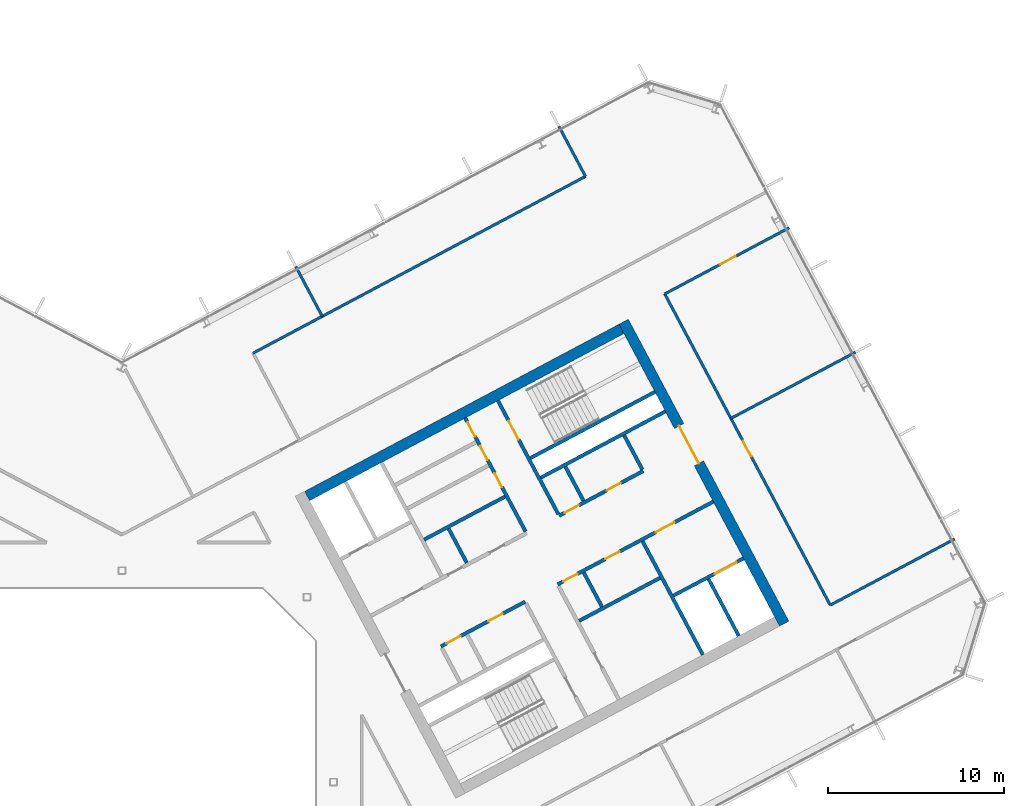
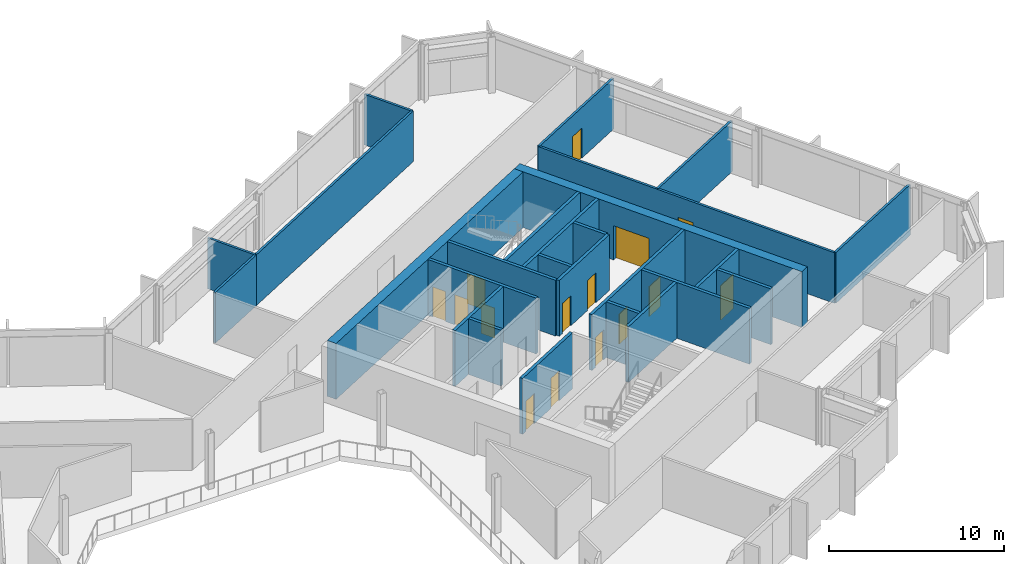
# One storey, part 16 of 26: 26 walls, 15 doors, 15 openings.
"""IFC4 building model written with IfcOpenShell, lengths in metres."""

from ifc_helpers import new_model, si_unit, direction, frame, frame_2d, origin, place, context, subcontext, project, spatial, rectangle, extrude, material, layer, layer_set, type_object, element, fill, save


model = new_model("IFC4")

# Units and contexts
model_context = context("Model", 3, precision=1e-05, world=origin(), true_north=direction((0.0, 1.0)))
body_context = subcontext(model_context, "Body", "Model", "MODEL_VIEW")
ifc_project = project(units=[si_unit("LENGTHUNIT", "METRE"), si_unit("AREAUNIT", "SQUARE_METRE"), si_unit("VOLUMEUNIT", "CUBIC_METRE"), si_unit("PLANEANGLEUNIT", "RADIAN"), si_unit("MASSUNIT", "GRAM", prefix="KILO")], contexts=[model_context])

# Site, building, storey
site_placement = place(None, origin())
site = spatial("IfcSite", under=ifc_project, at=site_placement, CompositionType="ELEMENT")
building_placement = place(site_placement, origin())
building = spatial("IfcBuilding", under=site, at=building_placement, Name="Cormorant Relay Tower", CompositionType="ELEMENT")
storey_placement = place(building_placement, frame((0.0, 0.0, 236.39990234375)))
storey = spatial("IfcBuildingStorey", under=building, at=storey_placement, Name="L52", CompositionType="ELEMENT", Elevation=236.39990234375)

# Walls
ifc_material_1 = material(Name="Concrete 40 MPa", Category="concrete")
ifc_layer_1 = layer(ifc_material_1, 0.199951171875)
ifc_layer_set_1 = layer_set([ifc_layer_1], Name="Core internal wall 200")
wall_type_1 = type_object("IfcWallType", Name="Core internal wall 200", PredefinedType="SOLIDWALL", material=ifc_layer_set_1)
for number, where, z_axis, x_axis, name in (
    (1, (19.568603515625, 12.443603515625, 0.0), (0.0, 0.0, 1.0), (-0.4694473164, 0.882960484464, 0.0), "L52 core B shaft and room wall"),
    (2, (27.236083984375, 9.951416015625, 0.0), (0.0, 0.0, 1.0), (-0.4694473164, 0.882960484464, 0.0), "L52 core B shaft and room wall"),
    (3, (26.19091796875, 15.964599609375, 0.0), (0.0, 0.0, 1.0), (-0.469533832133, 0.882914480843, 0.0), "L52 core B shaft and room wall"),
):
    element("IfcWall", number, at=place(storey_placement, frame(where, z_axis=z_axis, x_axis=x_axis)), inside=storey, type_object=wall_type_1, Name=name, PredefinedType="SOLIDWALL", context=body_context, shape_type="SweptSolid", body=[
        extrude(rectangle(XDim=2.199951171875, YDim=0.199951171875, at=frame_2d((1.10009765625, 0.0))), origin(), (0.0, 0.0, 1.0), 3.900146484375),
    ])

# Wall, openings, doors
ifc_material_2 = material(Name="Concrete 50 MPa", Category="concrete")
ifc_layer_2 = layer(ifc_material_2, 0.199951171875)
ifc_layer_set_2 = layer_set([ifc_layer_2], Name="Core shaft wall 200")
wall_type_2 = type_object("IfcWallType", Name="Core shaft wall 200", PredefinedType="SHEAR", material=ifc_layer_set_2)
wall_1_placement = place(storey_placement, frame((22.90625, 14.218017578125, 0.0), z_axis=(0.0, 0.0, 1.0), x_axis=(-0.469480409012, 0.88294288918, 0.0)))
wall_1 = element("IfcWall", 4, at=wall_1_placement, inside=storey, type_object=wall_type_2, Name="L52 core B shaft wall", PredefinedType="SHEAR", context=body_context, shape_type="SweptSolid", body=[
    extrude(rectangle(XDim=7.300048828125, YDim=0.199951171875, at=frame_2d((3.64990234375, 0.0))), origin(), (0.0, 0.0, 1.0), 3.900146484375),
])
opening_1_placement = place(wall_1_placement, frame((2.85009765625, 0.0, 0.0)))
opening_1 = element("IfcOpeningElement", 5, at=opening_1_placement, cuts=wall_1, Name="Opening CDD-299", PredefinedType="OPENING", context=body_context, shape_type="SweptSolid", body=[
    extrude(rectangle(XDim=0.89990234375, YDim=2.10009765625, at=frame_2d((0.449951171875, 1.050048828125))), frame((0.0, 0.10986328125, 0.0), z_axis=(0.0, -1.0, 0.0), x_axis=(1.0, 0.0, 0.0)), (0.0, 0.0, 1.0), 0.219970703125),
])
opening_2_placement = place(wall_1_placement, frame((4.60009765625, 0.0, 0.0)))
opening_2 = element("IfcOpeningElement", 6, at=opening_2_placement, cuts=wall_1, Name="Opening CDD-300", PredefinedType="OPENING", context=body_context, shape_type="SweptSolid", body=[
    extrude(rectangle(XDim=0.89990234375, YDim=2.10009765625, at=frame_2d((0.449951171875, 1.050048828125))), frame((0.0, 0.10986328125, 0.0), z_axis=(0.0, -1.0, 0.0), x_axis=(1.0, 0.0, 0.0)), (0.0, 0.0, 1.0), 0.219970703125),
])
opening_3_placement = place(wall_1_placement, frame((6.10009765625, 0.0, 0.0)))
opening_3 = element("IfcOpeningElement", 7, at=opening_3_placement, cuts=wall_1, Name="Opening CDD-301", PredefinedType="OPENING", context=body_context, shape_type="SweptSolid", body=[
    extrude(rectangle(XDim=0.89990234375, YDim=2.10009765625, at=frame_2d((0.449951171875, 1.050048828125))), frame((0.0, 0.10986328125, 0.0), z_axis=(0.0, -1.0, 0.0), x_axis=(1.0, 0.0, 0.0)), (0.0, 0.0, 1.0), 0.219970703125),
])
ifc_material_3 = material(Name="Steel fire door", Category="steel")
door_type_1 = type_object("IfcDoorType", Name="Core room door 900x2100", OperationType="SINGLE_SWING_LEFT", PredefinedType="DOOR", material=ifc_material_3)
door_1_placement = place(opening_1_placement, origin())
door_1 = element("IfcDoor", 8, at=door_1_placement, inside=storey, type_object=door_type_1, Name="Core room door 900x2100", OperationType="SINGLE_SWING_RIGHT", OverallHeight=2.10009765625, OverallWidth=0.89990234375, PredefinedType="DOOR", context=body_context, shape_type="SweptSolid", body=[
    extrude(rectangle(XDim=0.89990234375, YDim=2.10009765625, at=frame_2d((0.449951171875, 1.050048828125))), frame((0.0, 0.02490234375, 0.0), z_axis=(0.0, -1.0, 0.0), x_axis=(1.0, 0.0, 0.0)), (0.0, 0.0, 1.0), 0.050048828125),
])
fill(opening_1, door_1)
door_2_placement = place(opening_2_placement, origin())
door_2 = element("IfcDoor", 9, at=door_2_placement, inside=storey, type_object=door_type_1, Name="Core room door 900x2100", OperationType="SINGLE_SWING_LEFT", OverallHeight=2.10009765625, OverallWidth=0.89990234375, PredefinedType="DOOR", context=body_context, shape_type="SweptSolid", body=[
    extrude(rectangle(XDim=0.89990234375, YDim=2.10009765625, at=frame_2d((0.449951171875, 1.050048828125))), frame((0.0, 0.02490234375, 0.0), z_axis=(0.0, -1.0, 0.0), x_axis=(1.0, 0.0, 0.0)), (0.0, 0.0, 1.0), 0.050048828125),
])
fill(opening_2, door_2)
door_3_placement = place(opening_3_placement, origin())
door_3 = element("IfcDoor", 10, at=door_3_placement, inside=storey, type_object=door_type_1, Name="Core room door 900x2100", OperationType="SINGLE_SWING_LEFT", OverallHeight=2.10009765625, OverallWidth=0.89990234375, PredefinedType="DOOR", context=body_context, shape_type="SweptSolid", body=[
    extrude(rectangle(XDim=0.89990234375, YDim=2.10009765625, at=frame_2d((0.449951171875, 1.050048828125))), frame((0.0, 0.02490234375, 0.0), z_axis=(0.0, -1.0, 0.0), x_axis=(1.0, 0.0, 0.0)), (0.0, 0.0, 1.0), 0.050048828125),
])
fill(opening_3, door_3)

# Wall, opening, door
wall_2_placement = place(storey_placement, frame((24.760498046875, 15.2041015625, 0.0), z_axis=(0.0, 0.0, 1.0), x_axis=(-0.469494272526, 0.882935517501, 0.0)))
wall_2 = element("IfcWall", 11, at=wall_2_placement, inside=storey, type_object=wall_type_2, Name="L52 core B shaft wall", PredefinedType="SHEAR", context=body_context, shape_type="SweptSolid", body=[
    extrude(rectangle(XDim=7.2998046875, YDim=0.199951171875, at=frame_2d((3.64990234375, 0.0))), origin(), (0.0, 0.0, 1.0), 3.900146484375),
])
opening_4_placement = place(wall_2_placement, frame((4.800048828125, 0.0, 0.0)))
opening_4 = element("IfcOpeningElement", 12, at=opening_4_placement, cuts=wall_2, Name="Opening CDB-041", PredefinedType="OPENING", context=body_context, shape_type="SweptSolid", body=[
    extrude(rectangle(XDim=1.199951171875, YDim=2.10009765625, at=frame_2d((0.60009765625, 1.050048828125))), frame((0.0, 0.10986328125, 0.0), z_axis=(0.0, -1.0, 0.0), x_axis=(1.0, 0.0, 0.0)), (0.0, 0.0, 1.0), 0.219970703125),
])
ifc_material_4 = material(Name="Steel fire door", Category="steel")
door_type_2 = type_object("IfcDoorType", Name="Core stair door 1200x2100", OperationType="SINGLE_SWING_LEFT", PredefinedType="DOOR", material=ifc_material_4)
door_4_placement = place(opening_4_placement, frame((1.199951171875, 0.0, 0.0), z_axis=(0.0, 0.0, 1.0), x_axis=(-1.0, 0.0, 0.0)))
door_4 = element("IfcDoor", 13, at=door_4_placement, inside=storey, type_object=door_type_2, Name="Core stair door 1200x2100", OperationType="SINGLE_SWING_RIGHT", OverallHeight=2.10009765625, OverallWidth=1.199951171875, PredefinedType="DOOR", context=body_context, shape_type="SweptSolid", body=[
    extrude(rectangle(XDim=1.199951171875, YDim=2.10009765625, at=frame_2d((0.60009765625, 1.050048828125))), frame((0.0, 0.02490234375, 0.0), z_axis=(0.0, -1.0, 0.0), x_axis=(1.0, 0.0, 0.0)), (0.0, 0.0, 1.0), 0.050048828125),
])
fill(opening_4, door_4)

# Walls
wall_3_placement = place(storey_placement, frame((32.968017578125, 7.222900390625, 0.0), z_axis=(0.0, 0.0, 1.0), x_axis=(-0.469480409012, 0.88294288918, 0.0)))
element("IfcWall", 14, at=wall_3_placement, inside=storey, type_object=wall_type_2, Name="L52 core B shaft wall", PredefinedType="SHEAR", context=body_context, shape_type="SweptSolid", body=[
    extrude(rectangle(XDim=7.300048828125, YDim=0.199951171875, at=frame_2d((3.64990234375, 0.0))), origin(), (0.0, 0.0, 1.0), 3.900146484375),
])
wall_4_placement = place(storey_placement, frame((29.5283203125, 17.739013671875, 0.0), z_axis=(0.0, 0.0, 1.0), x_axis=(-0.469401318492, 0.882984938828, 0.0)))
element("IfcWall", 15, at=wall_4_placement, inside=storey, type_object=wall_type_2, Name="L52 core B shaft wall", PredefinedType="SHEAR", context=body_context, shape_type="SweptSolid", body=[
    extrude(rectangle(XDim=2.199951171875, YDim=0.199951171875, at=frame_2d((1.10009765625, 0.0))), origin(), (0.0, 0.0, 1.0), 3.900146484375),
])
wall_5_placement = place(storey_placement, frame((34.998779296875, 8.302734375, 0.0), z_axis=(0.0, 0.0, 1.0), x_axis=(-0.4694665462, 0.882950260207, 0.0)))
element("IfcWall", 16, at=wall_5_placement, inside=storey, type_object=wall_type_2, Name="L52 core B shaft wall", PredefinedType="SHEAR", context=body_context, shape_type="SweptSolid", body=[
    extrude(rectangle(XDim=3.650146484375, YDim=0.199951171875, at=frame_2d((1.8251953125, 0.0))), origin(), (0.0, 0.0, 1.0), 3.900146484375),
])

# Wall, opening, door
wall_6_placement = place(storey_placement, frame((31.295654296875, 10.5810546875, 0.0), z_axis=(0.0, 0.0, 1.0), x_axis=(0.882960433586, 0.469447412093, 0.0)))
wall_6 = element("IfcWall", 17, at=wall_6_placement, inside=storey, type_object=wall_type_2, Name="L52 core B shaft wall", PredefinedType="SHEAR", context=body_context, shape_type="SweptSolid", body=[
    extrude(rectangle(XDim=4.5, YDim=0.199951171875, at=frame_2d((2.25, 0.0))), origin(), (0.0, 0.0, 1.0), 3.900146484375),
])
opening_5_placement = place(wall_6_placement, frame((2.64990234375, 0.0, 0.0)))
opening_5 = element("IfcOpeningElement", 18, at=opening_5_placement, cuts=wall_6, Name="Opening LD3-016", PredefinedType="OPENING", context=body_context, shape_type="SweptSolid", body=[
    extrude(rectangle(XDim=1.39990234375, YDim=2.39990234375, at=frame_2d((0.699951171875, 1.199951171875))), frame((0.0, 0.10986328125, 0.0), z_axis=(0.0, -1.0, 0.0), x_axis=(1.0, 0.0, 0.0)), (0.0, 0.0, 1.0), 0.219970703125),
])
ifc_material_5 = material(Name="Stainless steel 316", Category="steel")
door_type_3 = type_object("IfcDoorType", Name="Lift landing door 1400x2400", OperationType="DOUBLE_DOOR_SLIDING", PredefinedType="DOOR", material=ifc_material_5)
door_5_placement = place(opening_5_placement, origin())
door_5 = element("IfcDoor", 19, at=door_5_placement, inside=storey, type_object=door_type_3, Name="SV2 landing door", OperationType="DOUBLE_DOOR_SLIDING", OverallHeight=2.39990234375, OverallWidth=1.39990234375, PredefinedType="DOOR", context=body_context, shape_type="SweptSolid", body=[
    extrude(rectangle(XDim=1.39990234375, YDim=2.39990234375, at=frame_2d((0.699951171875, 1.199951171875))), frame((0.0, 0.02490234375, 0.0), z_axis=(0.0, -1.0, 0.0), x_axis=(1.0, 0.0, 0.0)), (0.0, 0.0, 1.0), 0.050048828125),
])
fill(opening_5, door_5)

# Wall
wall_7_placement = place(storey_placement, frame((25.94091796875, 9.149658203125, 0.0), z_axis=(0.0, 0.0, 1.0), x_axis=(0.882953967957, 0.469459572775, 0.0)))
element("IfcWall", 20, at=wall_7_placement, inside=storey, type_object=wall_type_2, Name="L52 core B shaft wall", PredefinedType="SHEAR", context=body_context, shape_type="SweptSolid", body=[
    extrude(rectangle(XDim=5.199951171875, YDim=0.199951171875, at=frame_2d((2.60009765625, 0.0))), origin(), (0.0, 0.0, 1.0), 3.900146484375),
])

# Wall, openings, doors
wall_8_placement = place(storey_placement, frame((18.103759765625, 7.70068359375, 0.0), z_axis=(0.0, 0.0, 1.0), x_axis=(0.882952937579, 0.469461510692, 0.0)))
wall_8 = element("IfcWall", 21, at=wall_8_placement, inside=storey, type_object=wall_type_2, Name="L52 core B shaft wall", PredefinedType="SHEAR", context=body_context, shape_type="SweptSolid", body=[
    extrude(rectangle(XDim=5.400146484375, YDim=0.199951171875, at=frame_2d((2.7001953125, 0.0))), origin(), (0.0, 0.0, 1.0), 3.900146484375),
])
opening_6_placement = place(wall_8_placement, frame((0.360107421875, 0.0, 0.0)))
opening_6 = element("IfcOpeningElement", 22, at=opening_6_placement, cuts=wall_8, Name="Opening CDD-295", PredefinedType="OPENING", context=body_context, shape_type="SweptSolid", body=[
    extrude(rectangle(XDim=0.89990234375, YDim=2.10009765625, at=frame_2d((0.449951171875, 1.050048828125))), frame((0.0, 0.10986328125, 0.0), z_axis=(0.0, -1.0, 0.0), x_axis=(1.0, 0.0, 0.0)), (0.0, 0.0, 1.0), 0.219970703125),
])
opening_7_placement = place(wall_8_placement, frame((3.06005859375, 0.0, 0.0)))
opening_7 = element("IfcOpeningElement", 23, at=opening_7_placement, cuts=wall_8, Name="Opening CDD-296", PredefinedType="OPENING", context=body_context, shape_type="SweptSolid", body=[
    extrude(rectangle(XDim=0.89990234375, YDim=2.10009765625, at=frame_2d((0.449951171875, 1.050048828125))), frame((0.0, 0.10986328125, 0.0), z_axis=(0.0, -1.0, 0.0), x_axis=(1.0, 0.0, 0.0)), (0.0, 0.0, 1.0), 0.219970703125),
])
door_6_placement = place(opening_6_placement, origin())
door_6 = element("IfcDoor", 24, at=door_6_placement, inside=storey, type_object=door_type_1, Name="Core room door 900x2100", OperationType="SINGLE_SWING_LEFT", OverallHeight=2.10009765625, OverallWidth=0.89990234375, PredefinedType="DOOR", context=body_context, shape_type="SweptSolid", body=[
    extrude(rectangle(XDim=0.89990234375, YDim=2.10009765625, at=frame_2d((0.449951171875, 1.050048828125))), frame((0.0, 0.02490234375, 0.0), z_axis=(0.0, -1.0, 0.0), x_axis=(1.0, 0.0, 0.0)), (0.0, 0.0, 1.0), 0.050048828125),
])
fill(opening_6, door_6)
door_7_placement = place(opening_7_placement, origin())
door_7 = element("IfcDoor", 25, at=door_7_placement, inside=storey, type_object=door_type_1, Name="Core room door 900x2100", OperationType="SINGLE_SWING_LEFT", OverallHeight=2.10009765625, OverallWidth=0.89990234375, PredefinedType="DOOR", context=body_context, shape_type="SweptSolid", body=[
    extrude(rectangle(XDim=0.89990234375, YDim=2.10009765625, at=frame_2d((0.449951171875, 1.050048828125))), frame((0.0, 0.02490234375, 0.0), z_axis=(0.0, -1.0, 0.0), x_axis=(1.0, 0.0, 0.0)), (0.0, 0.0, 1.0), 0.050048828125),
])
fill(opening_7, door_7)

wall_9_placement = place(storey_placement, frame((24.72607421875, 11.2216796875, 0.0), z_axis=(0.0, 0.0, 1.0), x_axis=(0.882940221191, 0.469485426614, 0.0)))
wall_9 = element("IfcWall", 26, at=wall_9_placement, inside=storey, type_object=wall_type_2, Name="L52 core B shaft wall", PredefinedType="SHEAR", context=body_context, shape_type="SweptSolid", body=[
    extrude(rectangle(XDim=10.0, YDim=0.199951171875, at=frame_2d((5.0, 0.0))), origin(), (0.0, 0.0, 1.0), 3.900146484375),
])
opening_8_placement = place(wall_9_placement, frame((6.300048828125, 0.0, 0.0)))
opening_8 = element("IfcOpeningElement", 27, at=opening_8_placement, cuts=wall_9, Name="Opening CDC-038", PredefinedType="OPENING", context=body_context, shape_type="SweptSolid", body=[
    extrude(rectangle(XDim=1.199951171875, YDim=2.10009765625, at=frame_2d((0.60009765625, 1.050048828125))), frame((0.0, 0.10986328125, 0.0), z_axis=(0.0, -1.0, 0.0), x_axis=(1.0, 0.0, 0.0)), (0.0, 0.0, 1.0), 0.219970703125),
])
opening_9_placement = place(wall_9_placement, frame((0.360107421875, 0.0, 0.0)))
opening_9 = element("IfcOpeningElement", 28, at=opening_9_placement, cuts=wall_9, Name="Opening CDD-297", PredefinedType="OPENING", context=body_context, shape_type="SweptSolid", body=[
    extrude(rectangle(XDim=0.89990234375, YDim=2.10009765625, at=frame_2d((0.449951171875, 1.050048828125))), frame((0.0, 0.10986328125, 0.0), z_axis=(0.0, -1.0, 0.0), x_axis=(1.0, 0.0, 0.0)), (0.0, 0.0, 1.0), 0.219970703125),
])
opening_10_placement = place(wall_9_placement, frame((3.06005859375, 0.0, 0.0)))
opening_10 = element("IfcOpeningElement", 29, at=opening_10_placement, cuts=wall_9, Name="Opening CDD-298", PredefinedType="OPENING", context=body_context, shape_type="SweptSolid", body=[
    extrude(rectangle(XDim=0.89990234375, YDim=2.10009765625, at=frame_2d((0.449951171875, 1.050048828125))), frame((0.0, 0.10986328125, 0.0), z_axis=(0.0, -1.0, 0.0), x_axis=(1.0, 0.0, 0.0)), (0.0, 0.0, 1.0), 0.219970703125),
])
ifc_material_6 = material(Name="Steel fire door", Category="steel")
door_type_4 = type_object("IfcDoorType", Name="Core lobby door 1200x2100", OperationType="SINGLE_SWING_LEFT", PredefinedType="DOOR", material=ifc_material_6)
door_8_placement = place(opening_8_placement, origin())
door_8 = element("IfcDoor", 30, at=door_8_placement, inside=storey, type_object=door_type_4, Name="Core lobby door 1200x2100", OperationType="SINGLE_SWING_LEFT", OverallHeight=2.10009765625, OverallWidth=1.199951171875, PredefinedType="DOOR", context=body_context, shape_type="SweptSolid", body=[
    extrude(rectangle(XDim=1.199951171875, YDim=2.10009765625, at=frame_2d((0.60009765625, 1.050048828125))), frame((0.0, 0.02490234375, 0.0), z_axis=(0.0, -1.0, 0.0), x_axis=(1.0, 0.0, 0.0)), (0.0, 0.0, 1.0), 0.050048828125),
])
fill(opening_8, door_8)
door_9_placement = place(opening_9_placement, origin())
door_9 = element("IfcDoor", 31, at=door_9_placement, inside=storey, type_object=door_type_1, Name="Core room door 900x2100", OperationType="SINGLE_SWING_LEFT", OverallHeight=2.10009765625, OverallWidth=0.89990234375, PredefinedType="DOOR", context=body_context, shape_type="SweptSolid", body=[
    extrude(rectangle(XDim=0.89990234375, YDim=2.10009765625, at=frame_2d((0.449951171875, 1.050048828125))), frame((0.0, 0.02490234375, 0.0), z_axis=(0.0, -1.0, 0.0), x_axis=(1.0, 0.0, 0.0)), (0.0, 0.0, 1.0), 0.050048828125),
])
fill(opening_9, door_9)
door_10_placement = place(opening_10_placement, origin())
door_10 = element("IfcDoor", 32, at=door_10_placement, inside=storey, type_object=door_type_1, Name="Core room door 900x2100", OperationType="SINGLE_SWING_LEFT", OverallHeight=2.10009765625, OverallWidth=0.89990234375, PredefinedType="DOOR", context=body_context, shape_type="SweptSolid", body=[
    extrude(rectangle(XDim=0.89990234375, YDim=2.10009765625, at=frame_2d((0.449951171875, 1.050048828125))), frame((0.0, 0.02490234375, 0.0), z_axis=(0.0, -1.0, 0.0), x_axis=(1.0, 0.0, 0.0)), (0.0, 0.0, 1.0), 0.050048828125),
])
fill(opening_10, door_10)

wall_10_placement = place(storey_placement, frame((24.807373046875, 15.11572265625, 0.0), z_axis=(0.0, 0.0, 1.0), x_axis=(0.882942972946, 0.469480251476, 0.0)))
wall_10 = element("IfcWall", 33, at=wall_10_placement, inside=storey, type_object=wall_type_2, Name="L52 core B shaft wall", PredefinedType="SHEAR", context=body_context, shape_type="SweptSolid", body=[
    extrude(rectangle(XDim=5.39990234375, YDim=0.199951171875, at=frame_2d((2.699951171875, 0.0))), origin(), (0.0, 0.0, 1.0), 3.900146484375),
])
opening_11_placement = place(wall_10_placement, frame((0.360107421875, 0.0, 0.0)))
opening_11 = element("IfcOpeningElement", 34, at=opening_11_placement, cuts=wall_10, Name="Opening CDD-243", PredefinedType="OPENING", context=body_context, shape_type="SweptSolid", body=[
    extrude(rectangle(XDim=0.89990234375, YDim=2.10009765625, at=frame_2d((0.449951171875, 1.050048828125))), frame((0.0, 0.10986328125, 0.0), z_axis=(0.0, -1.0, 0.0), x_axis=(1.0, 0.0, 0.0)), (0.0, 0.0, 1.0), 0.219970703125),
])
opening_12_placement = place(wall_10_placement, frame((3.06005859375, 0.0, 0.0)))
opening_12 = element("IfcOpeningElement", 35, at=opening_12_placement, cuts=wall_10, Name="Opening CDD-294", PredefinedType="OPENING", context=body_context, shape_type="SweptSolid", body=[
    extrude(rectangle(XDim=0.89990234375, YDim=2.10009765625, at=frame_2d((0.449951171875, 1.050048828125))), frame((0.0, 0.10986328125, 0.0), z_axis=(0.0, -1.0, 0.0), x_axis=(1.0, 0.0, 0.0)), (0.0, 0.0, 1.0), 0.219970703125),
])
door_11_placement = place(opening_11_placement, origin())
door_11 = element("IfcDoor", 36, at=door_11_placement, inside=storey, type_object=door_type_1, Name="Core room door 900x2100", OperationType="SINGLE_SWING_LEFT", OverallHeight=2.10009765625, OverallWidth=0.89990234375, PredefinedType="DOOR", context=body_context, shape_type="SweptSolid", body=[
    extrude(rectangle(XDim=0.89990234375, YDim=2.10009765625, at=frame_2d((0.449951171875, 1.050048828125))), frame((0.0, 0.02490234375, 0.0), z_axis=(0.0, -1.0, 0.0), x_axis=(1.0, 0.0, 0.0)), (0.0, 0.0, 1.0), 0.050048828125),
])
fill(opening_11, door_11)
door_12_placement = place(opening_12_placement, origin())
door_12 = element("IfcDoor", 37, at=door_12_placement, inside=storey, type_object=door_type_1, Name="Core room door 900x2100", OperationType="SINGLE_SWING_LEFT", OverallHeight=2.10009765625, OverallWidth=0.89990234375, PredefinedType="DOOR", context=body_context, shape_type="SweptSolid", body=[
    extrude(rectangle(XDim=0.89990234375, YDim=2.10009765625, at=frame_2d((0.449951171875, 1.050048828125))), frame((0.0, 0.02490234375, 0.0), z_axis=(0.0, -1.0, 0.0), x_axis=(1.0, 0.0, 0.0)), (0.0, 0.0, 1.0), 0.050048828125),
])
fill(opening_12, door_12)

# Walls
wall_11_placement = place(storey_placement, frame((17.146728515625, 13.7607421875, 0.0), z_axis=(0.0, 0.0, 1.0), x_axis=(0.882964314875, 0.469440111896, 0.0)))
element("IfcWall", 38, at=wall_11_placement, inside=storey, type_object=wall_type_2, Name="L52 core B shaft wall", PredefinedType="SHEAR", context=body_context, shape_type="SweptSolid", body=[
    extrude(rectangle(XDim=5.2001953125, YDim=0.199951171875, at=frame_2d((2.60009765625, 0.0))), origin(), (0.0, 0.0, 1.0), 3.900146484375),
])
wall_12_placement = place(storey_placement, frame((23.76904296875, 17.28173828125, 0.0), z_axis=(0.0, 0.0, 1.0), x_axis=(0.882940221191, 0.469485426614, 0.0)))
element("IfcWall", 39, at=wall_12_placement, inside=storey, type_object=wall_type_2, Name="L52 core B shaft wall", PredefinedType="SHEAR", context=body_context, shape_type="SweptSolid", body=[
    extrude(rectangle(XDim=8.0, YDim=0.199951171875, at=frame_2d((4.0, 0.0))), origin(), (0.0, 0.0, 1.0), 3.900146484375),
])
wall_13_placement = place(storey_placement, frame((23.18212890625, 18.385498046875, 0.0), z_axis=(0.0, 0.0, 1.0), x_axis=(0.88295287151, 0.469461634952, 0.0)))
element("IfcWall", 40, at=wall_13_placement, inside=storey, type_object=wall_type_2, Name="L52 core B shaft wall", PredefinedType="SHEAR", context=body_context, shape_type="SweptSolid", body=[
    extrude(rectangle(XDim=7.999755859375, YDim=0.199951171875, at=frame_2d((4.0, 0.0))), origin(), (0.0, 0.0, 1.0), 3.900146484375),
])

# Wall, opening, door
ifc_material_7 = material(Name="Concrete 50 MPa", Category="concrete")
ifc_layer_3 = layer(ifc_material_7, 0.60009765625)
ifc_layer_set_3 = layer_set([ifc_layer_3], Name="Core wall 600")
wall_type_3 = type_object("IfcWallType", Name="Core wall 600", PredefinedType="SHEAR", material=ifc_layer_set_3)
wall_14_placement = place(storey_placement, frame((37.576171875, 8.99365234375, 0.0), z_axis=(0.0, 0.0, 1.0), x_axis=(-0.469478769487, 0.88294376095, 0.0)))
wall_14 = element("IfcWall", 41, at=wall_14_placement, inside=storey, type_object=wall_type_3, Name="L52 core B wall", PredefinedType="SHEAR", context=body_context, shape_type="SweptSolid", body=[
    extrude(rectangle(XDim=19.400146484375, YDim=0.60009765625, at=frame_2d((9.7001953125, 0.0))), origin(), (0.0, 0.0, 1.0), 3.900146484375),
])
opening_13_placement = place(wall_14_placement, frame((10.300048828125, 0.0, 0.0)))
opening_13 = element("IfcOpeningElement", 42, at=opening_13_placement, cuts=wall_14, Name="Opening CDA-043", PredefinedType="OPENING", context=body_context, shape_type="SweptSolid", body=[
    extrude(rectangle(XDim=2.39990234375, YDim=2.39990234375, at=frame_2d((1.199951171875, 1.199951171875))), frame((0.0, 0.31005859375, 0.0), z_axis=(0.0, -1.0, 0.0), x_axis=(1.0, 0.0, 0.0)), (0.0, 0.0, 1.0), 0.6201171875),
])
ifc_material_8 = material(Name="Steel fire door", Category="steel")
door_type_5 = type_object("IfcDoorType", Name="Core lobby door 2400x2400", OperationType="DOUBLE_DOOR_SINGLE_SWING", PredefinedType="DOOR", material=ifc_material_8)
door_13_placement = place(opening_13_placement, origin())
door_13 = element("IfcDoor", 43, at=door_13_placement, inside=storey, type_object=door_type_5, Name="Core lobby door 2400x2400", OperationType="DOUBLE_DOOR_SINGLE_SWING", OverallHeight=2.39990234375, OverallWidth=2.39990234375, PredefinedType="DOOR", context=body_context, shape_type="SweptSolid", body=[
    extrude(rectangle(XDim=2.39990234375, YDim=2.39990234375, at=frame_2d((1.199951171875, 1.199951171875))), frame((0.0, 0.02490234375, 0.0), z_axis=(0.0, -1.0, 0.0), x_axis=(1.0, 0.0, 0.0)), (0.0, 0.0, 1.0), 0.050048828125),
])
fill(opening_13, door_13)

# Wall
wall_15_placement = place(storey_placement, frame((10.5087890625, 16.23388671875, 0.0), z_axis=(0.0, 0.0, 1.0), x_axis=(0.88295010195, 0.469466843842, 0.0)))
element("IfcWall", 44, at=wall_15_placement, inside=storey, type_object=wall_type_3, Name="L52 core B wall", PredefinedType="SHEAR", context=body_context, shape_type="SweptSolid", body=[
    extrude(rectangle(XDim=20.199951171875, YDim=0.60009765625, at=frame_2d((10.10009765625, 0.0))), origin(), (0.0, 0.0, 1.0), 3.900146484375),
])

# Wall, opening, door
ifc_material_9 = material(Name="Gypsum board fire partition")
ifc_layer_4 = layer(ifc_material_9, 0.14990234375)
ifc_layer_set_4 = layer_set([ifc_layer_4], Name="Corridor partition 150 EI 60")
wall_type_4 = type_object("IfcWallType", Name="Corridor partition 150 EI 60", PredefinedType="PARTITIONING", material=ifc_layer_set_4)
wall_16_placement = place(storey_placement, frame((37.863037109375, 31.4580078125, 0.0), z_axis=(0.0, 0.0, 1.0), x_axis=(-0.882914115089, -0.469534519898, 0.0)))
wall_16 = element("IfcWall", 45, at=wall_16_placement, inside=storey, type_object=wall_type_4, Name="wall/L52/part/041", PredefinedType="PARTITIONING", context=body_context, shape_type="SweptSolid", body=[
    extrude(rectangle(XDim=7.99951171875, YDim=0.14990234375, at=frame_2d((3.999755859375, 0.0))), origin(), (0.0, 0.0, 1.0), 3.5400390625),
])
opening_14_placement = place(wall_16_placement, frame((3.450927734375, 0.0, 0.0)))
opening_14 = element("IfcOpeningElement", 46, at=opening_14_placement, cuts=wall_16, Name="Opening DS-137", PredefinedType="OPENING", context=body_context, shape_type="SweptSolid", body=[
    extrude(rectangle(XDim=1.0, YDim=2.10009765625, at=frame_2d((0.5, 1.050048828125))), frame((0.0, 0.0849609375, 0.0), z_axis=(0.0, -1.0, 0.0), x_axis=(1.0, 0.0, 0.0)), (0.0, 0.0, 1.0), 0.169921875),
])
ifc_material_10 = material(Name="Timber door leaf", Category="wood")
door_type_6 = type_object("IfcDoorType", Name="Suite door 1000x2100", OperationType="SINGLE_SWING_LEFT", PredefinedType="DOOR", material=ifc_material_10)
door_14_placement = place(opening_14_placement, origin())
door_14 = element("IfcDoor", 47, at=door_14_placement, inside=storey, type_object=door_type_6, Name="door/L52/019", OperationType="SINGLE_SWING_RIGHT", OverallHeight=2.10009765625, OverallWidth=1.0, PredefinedType="DOOR", context=body_context, shape_type="SweptSolid", body=[
    extrude(rectangle(XDim=1.0, YDim=2.10009765625, at=frame_2d((0.5, 1.050048828125))), frame((0.0, 0.02490234375, 0.0), z_axis=(0.0, -1.0, 0.0), x_axis=(1.0, 0.0, 0.0)), (0.0, 0.0, 1.0), 0.050048828125),
])
fill(opening_14, door_14)

wall_17_placement = place(storey_placement, frame((30.800048828125, 27.701904296875, 0.0), z_axis=(0.0, 0.0, 1.0), x_axis=(0.469451816494, -0.882958091865, 0.0)))
wall_17 = element("IfcWall", 48, at=wall_17_placement, inside=storey, type_object=wall_type_4, Name="wall/L52/part/042", PredefinedType="PARTITIONING", context=body_context, shape_type="SweptSolid", body=[
    extrude(rectangle(XDim=19.999755859375, YDim=0.14990234375, at=frame_2d((10.0, 0.0))), origin(), (0.0, 0.0, 1.0), 3.5400390625),
])
opening_15_placement = place(wall_17_placement, frame((9.449951171875, 0.0, 0.0)))
opening_15 = element("IfcOpeningElement", 49, at=opening_15_placement, cuts=wall_17, Name="Opening DS-172", PredefinedType="OPENING", context=body_context, shape_type="SweptSolid", body=[
    extrude(rectangle(XDim=1.0, YDim=2.10009765625, at=frame_2d((0.5, 1.050048828125))), frame((0.0, 0.0849609375, 0.0), z_axis=(0.0, -1.0, 0.0), x_axis=(1.0, 0.0, 0.0)), (0.0, 0.0, 1.0), 0.169921875),
])
door_15_placement = place(opening_15_placement, origin())
door_15 = element("IfcDoor", 50, at=door_15_placement, inside=storey, type_object=door_type_6, Name="door/L52/018", OperationType="SINGLE_SWING_LEFT", OverallHeight=2.10009765625, OverallWidth=1.0, PredefinedType="DOOR", context=body_context, shape_type="SweptSolid", body=[
    extrude(rectangle(XDim=1.0, YDim=2.10009765625, at=frame_2d((0.5, 1.050048828125))), frame((0.0, 0.02490234375, 0.0), z_axis=(0.0, -1.0, 0.0), x_axis=(1.0, 0.0, 0.0)), (0.0, 0.0, 1.0), 0.050048828125),
])
fill(opening_15, door_15)

# Walls
wall_18_placement = place(storey_placement, frame((40.18896484375, 10.04296875, 0.0), z_axis=(0.0, 0.0, 1.0), x_axis=(0.882991619958, 0.469388750487, 0.0)))
element("IfcWall", 51, at=wall_18_placement, inside=storey, type_object=wall_type_4, Name="wall/L52/part/043", PredefinedType="PARTITIONING", context=body_context, shape_type="SweptSolid", body=[
    extrude(rectangle(XDim=8.0, YDim=0.14990234375, at=frame_2d((4.0, 0.0))), origin(), (0.0, 0.0, 1.0), 3.5400390625),
])
ifc_material_11 = material(Name="Gypsum board partition")
ifc_layer_5 = layer(ifc_material_11, 0.14990234375)
ifc_layer_set_5 = layer_set([ifc_layer_5], Name="Tenant partition 150")
wall_type_5 = type_object("IfcWallType", Name="Tenant partition 150", PredefinedType="PARTITIONING", material=ifc_layer_set_5)
wall_19_placement = place(storey_placement, frame((11.35498046875, 26.424072265625, 0.0), z_axis=(0.0, 0.0, 1.0), x_axis=(-0.882846627183, -0.469661402366, 0.0)))
element("IfcWall", 52, at=wall_19_placement, inside=storey, type_object=wall_type_5, Name="wall/L52/part/032", PredefinedType="PARTITIONING", context=body_context, shape_type="SweptSolid", body=[
    extrude(rectangle(XDim=4.430908203125, YDim=0.14990234375, at=frame_2d((2.21533203125, 0.0))), origin(), (0.0, 0.0, 1.0), 3.5400390625),
])
wall_20_placement = place(storey_placement, frame((9.864013671875, 29.2548828125, 0.0), z_axis=(0.0, 0.0, 1.0), x_axis=(0.469447181805, -0.882960556025, 0.0)))
element("IfcWall", 53, at=wall_20_placement, inside=storey, type_object=wall_type_5, Name="wall/L52/part/034", PredefinedType="PARTITIONING", context=body_context, shape_type="SweptSolid", body=[
    extrude(rectangle(XDim=3.199462890625, YDim=0.14990234375, at=frame_2d((1.599609375, 0.0))), origin(), (0.0, 0.0, 1.0), 3.5400390625),
])
wall_21_placement = place(storey_placement, frame((11.35498046875, 26.424072265625, 0.0), z_axis=(0.0, 0.0, 1.0), x_axis=(0.882971344108, 0.469426890458, 0.0)))
element("IfcWall", 54, at=wall_21_placement, inside=storey, type_object=wall_type_5, Name="wall/L52/part/035", PredefinedType="PARTITIONING", context=body_context, shape_type="SweptSolid", body=[
    extrude(rectangle(XDim=16.92919921875, YDim=0.14990234375, at=frame_2d((8.464599609375, 0.0))), origin(), (0.0, 0.0, 1.0), 3.5400390625),
])
wall_22_placement = place(storey_placement, frame((26.302978515625, 34.37109375, 0.0), z_axis=(0.0, 0.0, 1.0), x_axis=(-0.46919425931, 0.883094981885, 0.0)))
element("IfcWall", 55, at=wall_22_placement, inside=storey, type_object=wall_type_5, Name="wall/L52/part/036", PredefinedType="PARTITIONING", context=body_context, shape_type="SweptSolid", body=[
    extrude(rectangle(XDim=3.201171875, YDim=0.14990234375, at=frame_2d((1.6005859375, 0.0))), origin(), (0.0, 0.0, 1.0), 3.5400390625),
])
wall_23_placement = place(storey_placement, frame((41.618896484375, 24.39501953125, 0.0), z_axis=(0.0, 0.0, 1.0), x_axis=(-0.882914115089, -0.469534519898, 0.0)))
element("IfcWall", 56, at=wall_23_placement, inside=storey, type_object=wall_type_5, Name="wall/L52/part/044", PredefinedType="PARTITIONING", context=body_context, shape_type="SweptSolid", body=[
    extrude(rectangle(XDim=7.99951171875, YDim=0.14990234375, at=frame_2d((3.999755859375, 0.0))), origin(), (0.0, 0.0, 1.0), 3.5400390625),
])

save(model, "model.ifc")
